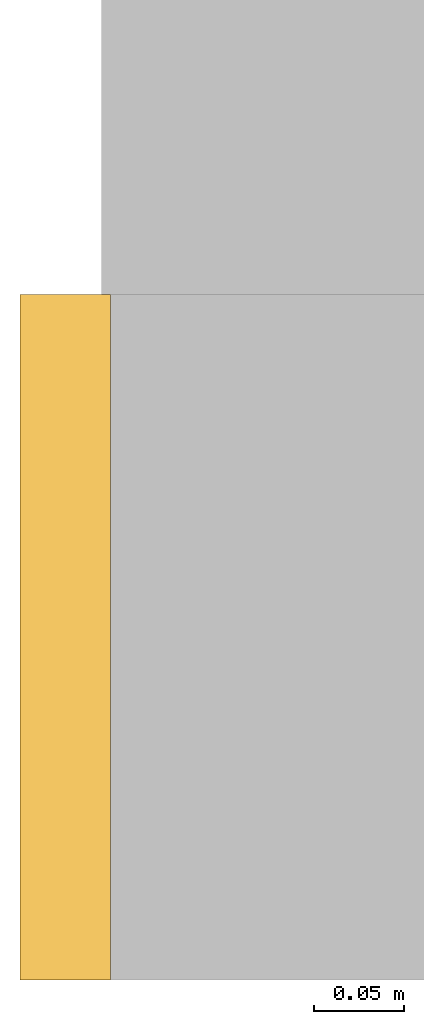
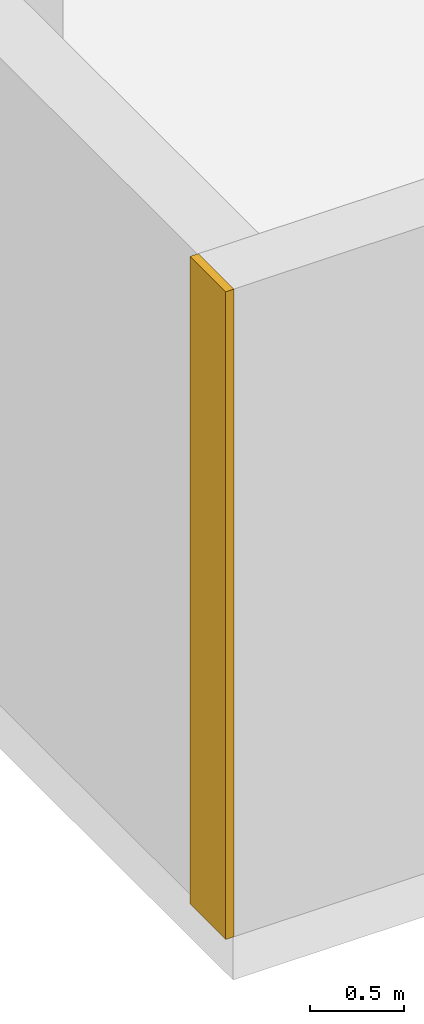
# One storey, part 16 of 21: 1 covering.
"""IFC4 building model written with IfcOpenShell, lengths in metres."""

from ifc_helpers import new_model, si_unit, direction, frame, frame_2d, origin, place, context, subcontext, project, spatial, rectangle, extrude, material, layer, layer_set, type_object, element, save


model = new_model("IFC4")

# Units and contexts
model_context = context("Model", 3, precision=1e-05, world=origin(), true_north=direction((0.0, 1.0)))
body_context = subcontext(model_context, "Body", "Model", "MODEL_VIEW")
ifc_project = project(units=[si_unit("LENGTHUNIT", "METRE"), si_unit("AREAUNIT", "SQUARE_METRE"), si_unit("VOLUMEUNIT", "CUBIC_METRE"), si_unit("PLANEANGLEUNIT", "RADIAN"), si_unit("MASSUNIT", "GRAM", prefix="KILO")], contexts=[model_context])

# Site, building, storey
site_placement = place(None, origin())
site = spatial("IfcSite", under=ifc_project, at=site_placement, CompositionType="ELEMENT")
building_placement = place(site_placement, origin())
building = spatial("IfcBuilding", under=site, at=building_placement, Name="Cairnveth Concourse Tower", CompositionType="ELEMENT")
storey_placement = place(building_placement, frame((0.0, 0.0, 10.0)))
storey = spatial("IfcBuildingStorey", under=building, at=storey_placement, Name="L02", CompositionType="ELEMENT", Elevation=10.0)

# Covering
ifc_material = material(Name="Dressed Melbourne Bluestone Cladding", Category="masonry")
ifc_layer = layer(ifc_material, 0.050048828125)
ifc_layer_set = layer_set([ifc_layer], Name="Dressed Melbourne Bluestone Cladding")
covering_type = type_object("IfcCoveringType", Name="DRESSED BLUESTONE PLINTH CLADDING 50", PredefinedType="CLADDING", material=ifc_layer_set)
covering_placement = place(storey_placement, frame((18.47998046875, 12.3798828125, 0.0), z_axis=(0.0, 0.0, 1.0), x_axis=(0.0, -1.0, 0.0)))
element("IfcCovering", 1, at=covering_placement, inside=storey, type_object=covering_type, Name="Melbourne Bluestone Corner Quoin L02-14", PredefinedType="CLADDING", context=body_context, shape_type="SweptSolid", body=[
    extrude(rectangle(XDim=0.3798828125, YDim=0.050048828125, at=frame_2d((0.18994140625, 0.0))), origin(), (0.0, 0.0, 1.0), 4.219970703125),
])

save(model, "model.ifc")
